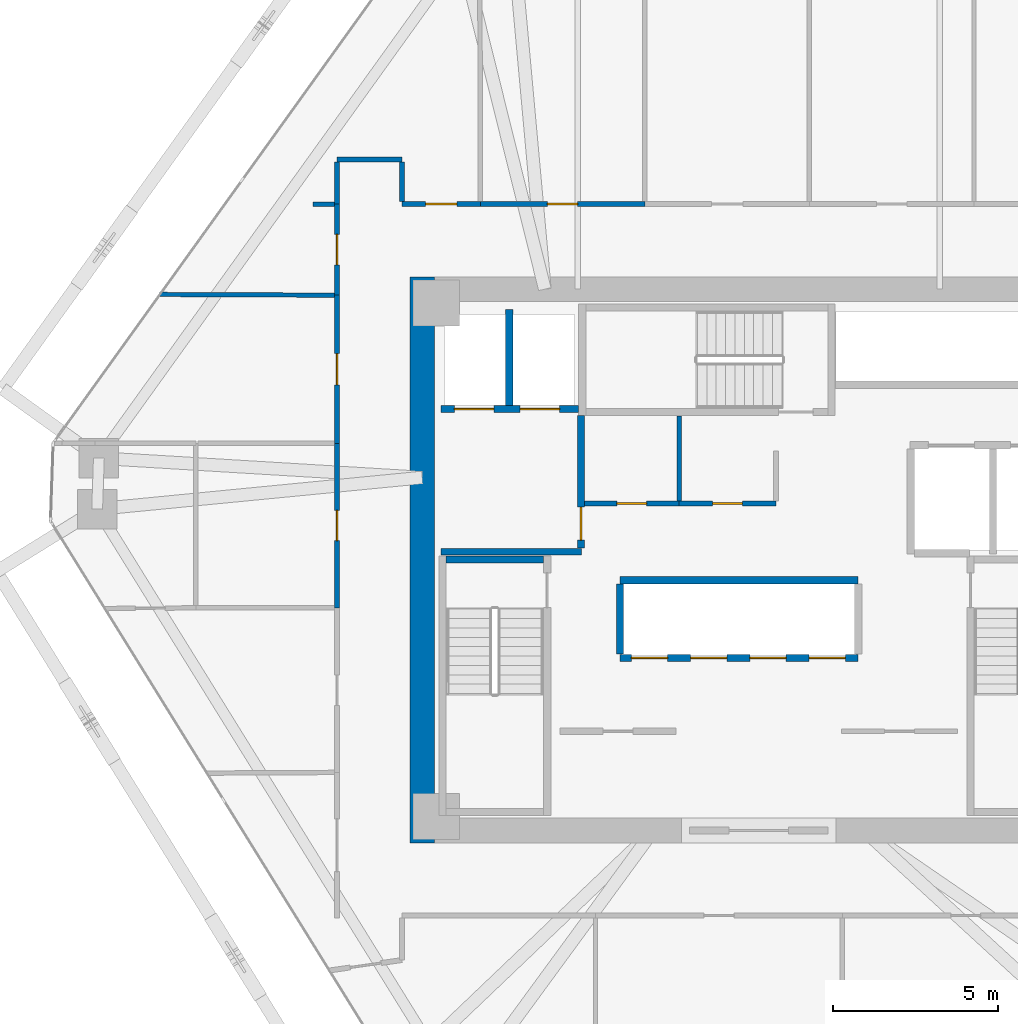
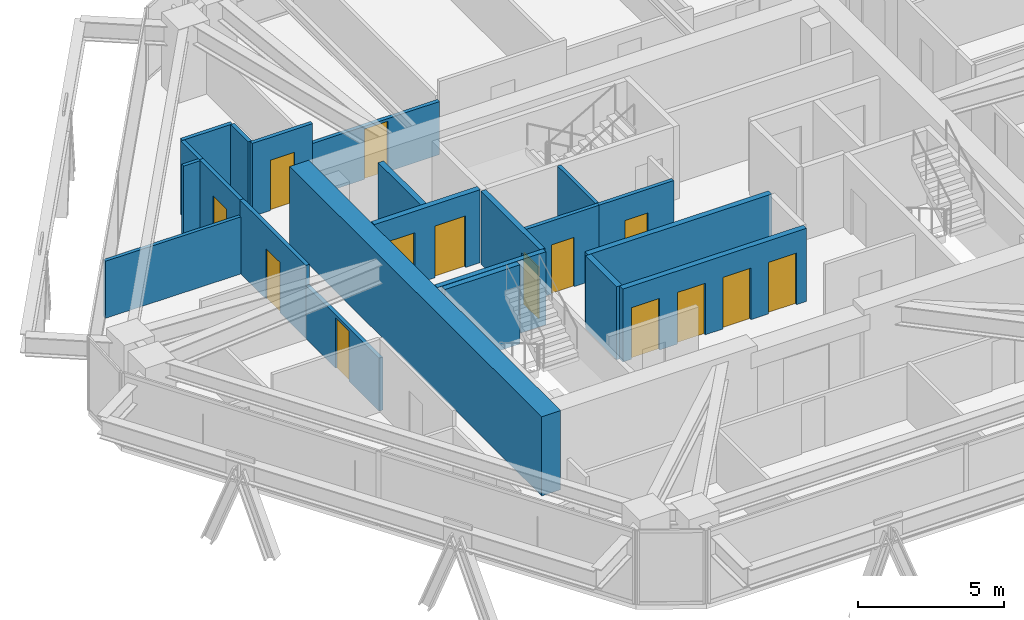
# One storey, part 13 of 16: 22 walls, 14 doors, 14 openings.
"""IFC4 building model written with IfcOpenShell, lengths in metres."""

from ifc_helpers import new_model, si_unit, direction, frame, frame_2d, origin, place, context, subcontext, project, spatial, rectangle, extrude, source, transform, mapped, material, layer, layer_set, type_object, type_shapes, element, fill, save


model = new_model("IFC4")

# Units and contexts
model_context = context("Model", 3, precision=1e-05, world=origin(), true_north=direction((0.0, 1.0)))
body_context = subcontext(model_context, "Body", "Model", "MODEL_VIEW")
ifc_project = project(units=[si_unit("LENGTHUNIT", "METRE"), si_unit("AREAUNIT", "SQUARE_METRE"), si_unit("VOLUMEUNIT", "CUBIC_METRE"), si_unit("PLANEANGLEUNIT", "RADIAN"), si_unit("MASSUNIT", "GRAM", prefix="KILO")], contexts=[model_context])

# Site, building, storey
site_placement = place(None, origin())
site = spatial("IfcSite", under=ifc_project, at=site_placement, CompositionType="ELEMENT")
building_placement = place(site_placement, origin())
building = spatial("IfcBuilding", under=site, at=building_placement, Name="Durnholm Broadcast Tower", CompositionType="ELEMENT")
storey_placement = place(building_placement, frame((0.0, 0.0, 130.5)))
storey = spatial("IfcBuildingStorey", under=building, at=storey_placement, Name="L35", CompositionType="ELEMENT", Elevation=130.5)

# Walls
ifc_material_1 = material(Name="Concrete C70/85", Category="concrete")
ifc_layer_1 = layer(ifc_material_1, 0.75)
ifc_layer_set_1 = layer_set([ifc_layer_1], Name="Concrete C70/85")
wall_type_1 = type_object("IfcWallType", Name="WALL-CW-750", PredefinedType="SHEAR", material=ifc_layer_set_1)
wall_1_placement = place(storey_placement, frame((-10.22509765625, -8.60009765625, 0.0), z_axis=(0.0, 0.0, 1.0), x_axis=(0.0, 1.0, 0.0)))
element("IfcWall", 1, at=wall_1_placement, inside=storey, type_object=wall_type_1, Name="L35 central core shear wall CW-WEST", PredefinedType="SHEAR", context=body_context, shape_type="SweptSolid", body=[
    extrude(rectangle(XDim=17.2001953125, YDim=0.75, at=frame_2d((8.60009765625, 0.0))), origin(), (0.0, 0.0, 1.0), 3.300048828125),
])
ifc_material_2 = material(Name="Fire-Rated Gypsum Shaftwall", Category="concrete")
ifc_layer_2 = layer(ifc_material_2, 0.199951171875)
ifc_layer_set_2 = layer_set([ifc_layer_2], Name="Fire-Rated Gypsum Shaftwall")
wall_type_2 = type_object("IfcWallType", Name="WALL-LOB-200", PredefinedType="SOLIDWALL", material=ifc_layer_set_2)
wall_2_placement = place(storey_placement, frame((-9.64990234375, 0.25, 0.0), z_axis=(0.0, 0.0, 1.0), x_axis=(1.0, 0.0, 0.0)))
element("IfcWall", 2, at=wall_2_placement, inside=storey, type_object=wall_type_2, Name="L35 Fire Service Access Elevator lobby south wall", PredefinedType="SOLIDWALL", context=body_context, shape_type="SweptSolid", body=[
    extrude(rectangle(XDim=4.27001953125, YDim=0.199951171875, at=frame_2d((2.135009765625, 0.0))), origin(), (0.0, 0.0, 1.0), 3.044921875),
])

# Wall, opening, door
wall_3_placement = place(storey_placement, frame((-5.39990234375, 0.35400390625, 0.0), z_axis=(0.0, 0.0, 1.0), x_axis=(0.0, 1.0, 0.0)))
wall_3 = element("IfcWall", 3, at=wall_3_placement, inside=storey, type_object=wall_type_2, Name="L35 Fire Service Access Elevator lobby east fire wall", PredefinedType="SOLIDWALL", context=body_context, shape_type="SweptSolid", body=[
    extrude(rectangle(XDim=4.02587890625, YDim=0.199951171875, at=frame_2d((2.012939453125, 0.0))), origin(), (0.0, 0.0, 1.0), 3.044921875),
])
opening_1_placement = place(wall_3_placement, frame((0.24609375, 0.0, 0.0)))
opening_1 = element("IfcOpeningElement", 4, at=opening_1_placement, cuts=wall_3, Name="Opening DL-60R", PredefinedType="OPENING", context=body_context, shape_type="SweptSolid", body=[
    extrude(rectangle(XDim=1.0, YDim=2.14990234375, at=frame_2d((0.5, 1.074951171875))), frame((0.0, 0.10986328125, 0.0), z_axis=(0.0, -1.0, 0.0), x_axis=(1.0, 0.0, 0.0)), (0.0, 0.0, 1.0), 0.219970703125),
])
ifc_material_3 = material(Name="Fire-Rated Timber/Steel Door", Category="steel")
ifc_layer_3 = layer(ifc_material_3, 0.050048828125)
ifc_layer_set_3 = layer_set([ifc_layer_3], Name="Fire-Rated Timber/Steel Door")
door_type_1 = type_object("IfcDoorType", Name="DOOR-LOB-FD60-R", OperationType="NOTDEFINED", PredefinedType="DOOR", material=ifc_layer_set_3)
shared_shape_1 = source(origin(), body_context, "Body", "SweptSolid", [
    extrude(rectangle(XDim=1.0, YDim=2.14990234375, at=frame_2d((0.5, 1.074951171875))), frame((0.0, 0.02490234375, 0.0), z_axis=(0.0, -1.0, 0.0), x_axis=(1.0, 0.0, 0.0)), (0.0, 0.0, 1.0), 0.050048828125),
])
type_shapes(door_type_1, [shared_shape_1])
door_1_placement = place(opening_1_placement, origin())
door_1 = element("IfcDoor", 5, at=door_1_placement, inside=storey, type_object=door_type_1, Name="L35 Fire Service Access Elevator lobby smoke door", OperationType="SINGLE_SWING_RIGHT", OverallHeight=2.14990234375, OverallWidth=1.0, PredefinedType="DOOR", context=body_context, shape_type="MappedRepresentation", body=[
    mapped(shared_shape_1, transform((0.0, 0.0, 0.0), x_axis=(1.0, 0.0, 0.0), y_axis=(0.0, 1.0, 0.0), z_axis=(0.0, 0.0, 1.0), scale=1.0)),
])
fill(opening_1, door_1)

# Walls
ifc_material_4 = material(Name="Gypsum Metal Stud Partition", Category="concrete")
ifc_layer_4 = layer(ifc_material_4, 0.135009765625)
ifc_layer_set_4 = layer_set([ifc_layer_4], Name="Gypsum Metal Stud Partition")
wall_type_3 = type_object("IfcWallType", Name="WALL-PART-135", PredefinedType="PARTITIONING", material=ifc_layer_set_4)
wall_4_placement = place(storey_placement, frame((-2.419921875, 4.375, 0.0), z_axis=(0.0, 0.0, 1.0), x_axis=(0.0, -1.0, 0.0)))
element("IfcWall", 6, at=wall_4_placement, inside=storey, type_object=wall_type_3, Name="L35 room dividing partition 3.4", PredefinedType="PARTITIONING", context=body_context, shape_type="SweptSolid", body=[
    extrude(rectangle(XDim=2.5859375, YDim=0.135009765625, at=frame_2d((1.29296875, 0.0))), origin(), (0.0, 0.0, 1.0), 3.044921875),
])
wall_5_placement = place(storey_placement, frame((-12.888916015625, 10.81005859375, 0.0), z_axis=(0.0, 0.0, 1.0), x_axis=(-1.0, 0.0, 0.0)))
element("IfcWall", 7, at=wall_5_placement, inside=storey, type_object=wall_type_3, Name="L35 room dividing partition 8.23", PredefinedType="PARTITIONING", context=body_context, shape_type="SweptSolid", body=[
    extrude(rectangle(XDim=0.651123046875, YDim=0.135009765625, at=frame_2d((0.32568359375, 0.0))), origin(), (0.0, 0.0, 1.0), 3.044921875),
])
wall_6_placement = place(storey_placement, frame((-18.201904296875, 8.063232421875, 0.0), z_axis=(0.0, 0.0, 1.0), x_axis=(0.999990671281, -0.004319415637, 0.0)))
element("IfcWall", 8, at=wall_6_placement, inside=storey, type_object=wall_type_3, Name="L35 room dividing partition 22.23", PredefinedType="PARTITIONING", context=body_context, shape_type="SweptSolid", body=[
    extrude(rectangle(XDim=5.31298828125, YDim=0.135009765625, at=frame_2d((2.656494140625, 0.0))), origin(), (0.0, 0.0, 1.0), 2.3798828125),
])

# Wall, opening, door
ifc_material_5 = material(Name="Acoustic Gypsum Stud Partition", Category="concrete")
ifc_layer_5 = layer(ifc_material_5, 0.14990234375)
ifc_layer_set_5 = layer_set([ifc_layer_5], Name="Acoustic Gypsum Stud Partition")
wall_type_4 = type_object("IfcWallType", Name="WALL-PART-150", PredefinedType="PARTITIONING", material=ifc_layer_set_5)
wall_7_placement = place(storey_placement, frame((-2.419921875, 1.7099609375, 0.0), z_axis=(0.0, 0.0, 1.0), x_axis=(-1.0, 0.0, 0.0)))
wall_7 = element("IfcWall", 9, at=wall_7_placement, inside=storey, type_object=wall_type_4, Name="L35 Core Equipment Store corridor partition", PredefinedType="PARTITIONING", context=body_context, shape_type="SweptSolid", body=[
    extrude(rectangle(XDim=2.8759765625, YDim=0.14990234375, at=frame_2d((1.43798828125, 0.0))), origin(), (0.0, 0.0, 1.0), 3.044921875),
])
opening_2_placement = place(wall_7_placement, frame((0.988037109375, 0.0, 0.0)))
opening_2 = element("IfcOpeningElement", 10, at=opening_2_placement, cuts=wall_7, Name="Opening DC-60R", PredefinedType="OPENING", context=body_context, shape_type="SweptSolid", body=[
    extrude(rectangle(XDim=0.89990234375, YDim=2.050048828125, at=frame_2d((0.449951171875, 1.02490234375))), frame((0.0, 0.0849609375, 0.0), z_axis=(0.0, -1.0, 0.0), x_axis=(1.0, 0.0, 0.0)), (0.0, 0.0, 1.0), 0.169921875),
])
ifc_material_6 = material(Name="Fire-Rated Core Service Door", Category="steel")
ifc_layer_6 = layer(ifc_material_6, 0.050048828125)
ifc_layer_set_6 = layer_set([ifc_layer_6], Name="Fire-Rated Core Service Door")
door_type_2 = type_object("IfcDoorType", Name="DOOR-CORE-FD60-R", OperationType="NOTDEFINED", PredefinedType="DOOR", material=ifc_layer_set_6)
shared_shape_2 = source(origin(), body_context, "Body", "SweptSolid", [
    extrude(rectangle(XDim=0.89990234375, YDim=2.050048828125, at=frame_2d((0.449951171875, 1.02490234375))), frame((0.0, 0.02490234375, 0.0), z_axis=(0.0, -1.0, 0.0), x_axis=(1.0, 0.0, 0.0)), (0.0, 0.0, 1.0), 0.050048828125),
])
type_shapes(door_type_2, [shared_shape_2])
door_2_placement = place(opening_2_placement, origin())
door_2 = element("IfcDoor", 11, at=door_2_placement, inside=storey, type_object=door_type_2, Name="L35 Core Equipment Store entrance door", OperationType="SINGLE_SWING_RIGHT", OverallHeight=2.050048828125, OverallWidth=0.89990234375, PredefinedType="DOOR", context=body_context, shape_type="MappedRepresentation", body=[
    mapped(shared_shape_2, transform((0.0, 0.0, 0.0), x_axis=(1.0, 0.0, 0.0), y_axis=(0.0, 1.0, 0.0), z_axis=(0.0, 0.0, 1.0), scale=1.0)),
])
fill(opening_2, door_2)

wall_8_placement = place(storey_placement, frame((0.52001953125, 1.7099609375, 0.0), z_axis=(0.0, 0.0, 1.0), x_axis=(-1.0, 0.0, 0.0)))
wall_8 = element("IfcWall", 12, at=wall_8_placement, inside=storey, type_object=wall_type_4, Name="L35 Core Mail and Supply Room corridor partition", PredefinedType="PARTITIONING", context=body_context, shape_type="SweptSolid", body=[
    extrude(rectangle(XDim=2.93994140625, YDim=0.14990234375, at=frame_2d((1.469970703125, 0.0))), origin(), (0.0, 0.0, 1.0), 3.044921875),
])
opening_3_placement = place(wall_8_placement, frame((1.02001953125, 0.0, 0.0)))
opening_3 = element("IfcOpeningElement", 13, at=opening_3_placement, cuts=wall_8, Name="Opening DC-60L", PredefinedType="OPENING", context=body_context, shape_type="SweptSolid", body=[
    extrude(rectangle(XDim=0.89990234375, YDim=2.050048828125, at=frame_2d((0.449951171875, 1.02490234375))), frame((0.0, 0.0849609375, 0.0), z_axis=(0.0, -1.0, 0.0), x_axis=(1.0, 0.0, 0.0)), (0.0, 0.0, 1.0), 0.169921875),
])
ifc_layer_7 = layer(ifc_material_6, 0.050048828125)
ifc_layer_set_7 = layer_set([ifc_layer_7], Name="Fire-Rated Core Service Door")
door_type_3 = type_object("IfcDoorType", Name="DOOR-CORE-FD60-L", OperationType="NOTDEFINED", PredefinedType="DOOR", material=ifc_layer_set_7)
shared_shape_3 = source(origin(), body_context, "Body", "SweptSolid", [
    extrude(rectangle(XDim=0.89990234375, YDim=2.050048828125, at=frame_2d((0.449951171875, 1.02490234375))), frame((0.0, 0.02490234375, 0.0), z_axis=(0.0, -1.0, 0.0), x_axis=(1.0, 0.0, 0.0)), (0.0, 0.0, 1.0), 0.050048828125),
])
type_shapes(door_type_3, [shared_shape_3])
door_3_placement = place(opening_3_placement, origin())
door_3 = element("IfcDoor", 14, at=door_3_placement, inside=storey, type_object=door_type_3, Name="L35 Core Mail and Supply Room entrance door", OperationType="SINGLE_SWING_LEFT", OverallHeight=2.050048828125, OverallWidth=0.89990234375, PredefinedType="DOOR", context=body_context, shape_type="MappedRepresentation", body=[
    mapped(shared_shape_3, transform((0.0, 0.0, 0.0), x_axis=(1.0, 0.0, 0.0), y_axis=(0.0, 1.0, 0.0), z_axis=(0.0, 0.0, 1.0), scale=1.0)),
])
fill(opening_3, door_3)

wall_9_placement = place(storey_placement, frame((-8.4599609375, 10.81005859375, 0.0), z_axis=(0.0, 0.0, 1.0), x_axis=(-1.0, 0.0, 0.0)))
wall_9 = element("IfcWall", 15, at=wall_9_placement, inside=storey, type_object=wall_type_4, Name="L35 Radio Broadcast Hall corridor partition", PredefinedType="PARTITIONING", context=body_context, shape_type="SweptSolid", body=[
    extrude(rectangle(XDim=2.380126953125, YDim=0.14990234375, at=frame_2d((1.18994140625, 0.0))), origin(), (0.0, 0.0, 1.0), 3.044921875),
])
opening_4_placement = place(wall_9_placement, frame((0.715087890625, 0.0, 0.0)))
opening_4 = element("IfcOpeningElement", 16, at=opening_4_placement, cuts=wall_9, Name="Opening DR-95L", PredefinedType="OPENING", context=body_context, shape_type="SweptSolid", body=[
    extrude(rectangle(XDim=0.949951171875, YDim=2.10009765625, at=frame_2d((0.47509765625, 1.050048828125))), frame((0.0, 0.0849609375, 0.0), z_axis=(0.0, -1.0, 0.0), x_axis=(1.0, 0.0, 0.0)), (0.0, 0.0, 1.0), 0.169921875),
])
ifc_material_7 = material(Name="Acoustic Oak Veneer Timber Door", Category="wood")
ifc_layer_8 = layer(ifc_material_7, 0.050048828125)
ifc_layer_set_8 = layer_set([ifc_layer_8], Name="Acoustic Oak Veneer Timber Door")
door_type_4 = type_object("IfcDoorType", Name="DOOR-RM-950L", OperationType="NOTDEFINED", PredefinedType="DOOR", material=ifc_layer_set_8)
shared_shape_4 = source(origin(), body_context, "Body", "SweptSolid", [
    extrude(rectangle(XDim=0.949951171875, YDim=2.10009765625, at=frame_2d((0.47509765625, 1.050048828125))), frame((0.0, 0.02490234375, 0.0), z_axis=(0.0, -1.0, 0.0), x_axis=(1.0, 0.0, 0.0)), (0.0, 0.0, 1.0), 0.050048828125),
])
type_shapes(door_type_4, [shared_shape_4])
door_4_placement = place(opening_4_placement, origin())
door_4 = element("IfcDoor", 17, at=door_4_placement, inside=storey, type_object=door_type_4, Name="L35 Radio Broadcast Hall entrance door", OperationType="SINGLE_SWING_LEFT", OverallHeight=2.10009765625, OverallWidth=0.949951171875, PredefinedType="DOOR", context=body_context, shape_type="MappedRepresentation", body=[
    mapped(shared_shape_4, transform((0.0, 0.0, 0.0), x_axis=(1.0, 0.0, 0.0), y_axis=(0.0, 1.0, 0.0), z_axis=(0.0, 0.0, 1.0), scale=1.0)),
])
fill(opening_4, door_4)

# Walls
wall_10_placement = place(storey_placement, frame((-10.840087890625, 12.159912109375, 0.0), z_axis=(0.0, 0.0, 1.0), x_axis=(-1.0, 0.0, 0.0)))
element("IfcWall", 18, at=wall_10_placement, inside=storey, type_object=wall_type_4, Name="L35 Radio Broadcast Hall corridor partition", PredefinedType="PARTITIONING", context=body_context, shape_type="SweptSolid", body=[
    extrude(rectangle(XDim=1.969970703125, YDim=0.14990234375, at=frame_2d((0.98486328125, 0.0))), origin(), (0.0, 0.0, 1.0), 3.044921875),
])
wall_11_placement = place(storey_placement, frame((-10.840087890625, 10.888916015625, 0.0), z_axis=(0.0, 0.0, 1.0), x_axis=(0.0, 1.0, 0.0)))
element("IfcWall", 19, at=wall_11_placement, inside=storey, type_object=wall_type_4, Name="L35 Radio Broadcast Hall corridor partition", PredefinedType="PARTITIONING", context=body_context, shape_type="SweptSolid", body=[
    extrude(rectangle(XDim=1.192138671875, YDim=0.14990234375, at=frame_2d((0.59619140625, 0.0))), origin(), (0.0, 0.0, 1.0), 3.044921875),
])
wall_12_placement = place(storey_placement, frame((-12.81005859375, 12.0810546875, 0.0), z_axis=(0.0, 0.0, 1.0), x_axis=(0.0, -1.0, 0.0)))
element("IfcWall", 20, at=wall_12_placement, inside=storey, type_object=wall_type_4, Name="L35 Radio Broadcast Hall corridor partition", PredefinedType="PARTITIONING", context=body_context, shape_type="SweptSolid", body=[
    extrude(rectangle(XDim=1.27099609375, YDim=0.14990234375, at=frame_2d((0.635498046875, 0.0))), origin(), (0.0, 0.0, 1.0), 3.044921875),
])

# Wall, opening, door
wall_13_placement = place(storey_placement, frame((-3.4599609375, 10.81005859375, 0.0), z_axis=(0.0, 0.0, 1.0), x_axis=(-1.0, 0.0, 0.0)))
wall_13 = element("IfcWall", 21, at=wall_13_placement, inside=storey, type_object=wall_type_4, Name="L35 Mastering Screening Auditorium corridor partition", PredefinedType="PARTITIONING", context=body_context, shape_type="SweptSolid", body=[
    extrude(rectangle(XDim=5.0, YDim=0.14990234375, at=frame_2d((2.5, 0.0))), origin(), (0.0, 0.0, 1.0), 2.212158203125),
])
opening_5_placement = place(wall_13_placement, frame((2.0400390625, 0.0, 0.0)))
opening_5 = element("IfcOpeningElement", 22, at=opening_5_placement, cuts=wall_13, Name="Opening DR-92R", PredefinedType="OPENING", context=body_context, shape_type="SweptSolid", body=[
    extrude(rectangle(XDim=0.919921875, YDim=2.10009765625, at=frame_2d((0.4599609375, 1.050048828125))), frame((0.0, 0.0849609375, 0.0), z_axis=(0.0, -1.0, 0.0), x_axis=(1.0, 0.0, 0.0)), (0.0, 0.0, 1.0), 0.169921875),
])
ifc_material_8 = material(Name="Oak Veneer Office Door", Category="wood")
ifc_layer_9 = layer(ifc_material_8, 0.050048828125)
ifc_layer_set_9 = layer_set([ifc_layer_9], Name="Oak Veneer Office Door")
door_type_5 = type_object("IfcDoorType", Name="DOOR-RM-920R", OperationType="NOTDEFINED", PredefinedType="DOOR", material=ifc_layer_set_9)
shared_shape_5 = source(origin(), body_context, "Body", "SweptSolid", [
    extrude(rectangle(XDim=0.919921875, YDim=2.10009765625, at=frame_2d((0.4599609375, 1.050048828125))), frame((0.0, 0.02490234375, 0.0), z_axis=(0.0, -1.0, 0.0), x_axis=(1.0, 0.0, 0.0)), (0.0, 0.0, 1.0), 0.050048828125),
])
type_shapes(door_type_5, [shared_shape_5])
door_5_placement = place(opening_5_placement, origin())
door_5 = element("IfcDoor", 23, at=door_5_placement, inside=storey, type_object=door_type_5, Name="L35 Mastering Screening Auditorium entrance door", OperationType="SINGLE_SWING_RIGHT", OverallHeight=2.10009765625, OverallWidth=0.919921875, PredefinedType="DOOR", context=body_context, shape_type="MappedRepresentation", body=[
    mapped(shared_shape_5, transform((0.0, 0.0, 0.0), x_axis=(1.0, 0.0, 0.0), y_axis=(0.0, 1.0, 0.0), z_axis=(0.0, 0.0, 1.0), scale=1.0)),
])
fill(opening_5, door_5)

wall_14_placement = place(storey_placement, frame((-12.81005859375, 3.5400390625, 0.0), z_axis=(0.0, 0.0, 1.0), x_axis=(0.0, -1.0, 0.0)))
wall_14 = element("IfcWall", 24, at=wall_14_placement, inside=storey, type_object=wall_type_4, Name="L35 Acoustic Meeting Room 1 corridor partition", PredefinedType="PARTITIONING", context=body_context, shape_type="SweptSolid", body=[
    extrude(rectangle(XDim=5.0, YDim=0.14990234375, at=frame_2d((2.5, 0.0))), origin(), (0.0, 0.0, 1.0), 2.212158203125),
])
opening_6_placement = place(wall_14_placement, frame((2.0400390625, 0.0, 0.0)))
opening_6 = element("IfcOpeningElement", 25, at=opening_6_placement, cuts=wall_14, Name="Opening DR-92L", PredefinedType="OPENING", context=body_context, shape_type="SweptSolid", body=[
    extrude(rectangle(XDim=0.919921875, YDim=2.10009765625, at=frame_2d((0.4599609375, 1.050048828125))), frame((0.0, 0.0849609375, 0.0), z_axis=(0.0, -1.0, 0.0), x_axis=(1.0, 0.0, 0.0)), (0.0, 0.0, 1.0), 0.169921875),
])
ifc_layer_10 = layer(ifc_material_8, 0.050048828125)
ifc_layer_set_10 = layer_set([ifc_layer_10], Name="Oak Veneer Office Door")
door_type_6 = type_object("IfcDoorType", Name="DOOR-RM-920L", OperationType="NOTDEFINED", PredefinedType="DOOR", material=ifc_layer_set_10)
shared_shape_6 = source(origin(), body_context, "Body", "SweptSolid", [
    extrude(rectangle(XDim=0.919921875, YDim=2.10009765625, at=frame_2d((0.4599609375, 1.050048828125))), frame((0.0, 0.02490234375, 0.0), z_axis=(0.0, -1.0, 0.0), x_axis=(1.0, 0.0, 0.0)), (0.0, 0.0, 1.0), 0.050048828125),
])
type_shapes(door_type_6, [shared_shape_6])
door_6_placement = place(opening_6_placement, origin())
door_6 = element("IfcDoor", 26, at=door_6_placement, inside=storey, type_object=door_type_6, Name="L35 Acoustic Meeting Room 1 entrance door", OperationType="SINGLE_SWING_LEFT", OverallHeight=2.10009765625, OverallWidth=0.919921875, PredefinedType="DOOR", context=body_context, shape_type="MappedRepresentation", body=[
    mapped(shared_shape_6, transform((0.0, 0.0, 0.0), x_axis=(1.0, 0.0, 0.0), y_axis=(0.0, 1.0, 0.0), z_axis=(0.0, 0.0, 1.0), scale=1.0)),
])
fill(opening_6, door_6)

wall_15_placement = place(storey_placement, frame((-12.81005859375, 8.0400390625, 0.0), z_axis=(0.0, 0.0, 1.0), x_axis=(0.0, -1.0, 0.0)))
wall_15 = element("IfcWall", 27, at=wall_15_placement, inside=storey, type_object=wall_type_4, Name="L35 Acoustic Meeting Room 2 corridor partition", PredefinedType="PARTITIONING", context=body_context, shape_type="SweptSolid", body=[
    extrude(rectangle(XDim=4.5, YDim=0.14990234375, at=frame_2d((2.25, 0.0))), origin(), (0.0, 0.0, 1.0), 3.044921875),
])
opening_7_placement = place(wall_15_placement, frame((1.77490234375, 0.0, 0.0)))
opening_7 = element("IfcOpeningElement", 28, at=opening_7_placement, cuts=wall_15, Name="Opening DR-95R", PredefinedType="OPENING", context=body_context, shape_type="SweptSolid", body=[
    extrude(rectangle(XDim=0.949951171875, YDim=2.10009765625, at=frame_2d((0.47509765625, 1.050048828125))), frame((0.0, 0.0849609375, 0.0), z_axis=(0.0, -1.0, 0.0), x_axis=(1.0, 0.0, 0.0)), (0.0, 0.0, 1.0), 0.169921875),
])
ifc_layer_11 = layer(ifc_material_7, 0.050048828125)
ifc_layer_set_11 = layer_set([ifc_layer_11], Name="Acoustic Oak Veneer Timber Door")
door_type_7 = type_object("IfcDoorType", Name="DOOR-RM-950R", OperationType="NOTDEFINED", PredefinedType="DOOR", material=ifc_layer_set_11)
shared_shape_7 = source(origin(), body_context, "Body", "SweptSolid", [
    extrude(rectangle(XDim=0.949951171875, YDim=2.10009765625, at=frame_2d((0.47509765625, 1.050048828125))), frame((0.0, 0.02490234375, 0.0), z_axis=(0.0, -1.0, 0.0), x_axis=(1.0, 0.0, 0.0)), (0.0, 0.0, 1.0), 0.050048828125),
])
type_shapes(door_type_7, [shared_shape_7])
door_7_placement = place(opening_7_placement, origin())
door_7 = element("IfcDoor", 29, at=door_7_placement, inside=storey, type_object=door_type_7, Name="L35 Acoustic Meeting Room 2 entrance door", OperationType="SINGLE_SWING_RIGHT", OverallHeight=2.10009765625, OverallWidth=0.949951171875, PredefinedType="DOOR", context=body_context, shape_type="MappedRepresentation", body=[
    mapped(shared_shape_7, transform((0.0, 0.0, 0.0), x_axis=(1.0, 0.0, 0.0), y_axis=(0.0, 1.0, 0.0), z_axis=(0.0, 0.0, 1.0), scale=1.0)),
])
fill(opening_7, door_7)

wall_16_placement = place(storey_placement, frame((-12.81005859375, 10.81005859375, 0.0), z_axis=(0.0, 0.0, 1.0), x_axis=(0.0, -1.0, 0.0)))
wall_16 = element("IfcWall", 30, at=wall_16_placement, inside=storey, type_object=wall_type_4, Name="L35 Broadcast Kitchen corridor partition", PredefinedType="PARTITIONING", context=body_context, shape_type="SweptSolid", body=[
    extrude(rectangle(XDim=2.77001953125, YDim=0.14990234375, at=frame_2d((1.385009765625, 0.0))), origin(), (0.0, 0.0, 1.0), 3.044921875),
])
opening_8_placement = place(wall_16_placement, frame((0.925048828125, 0.0, 0.0)))
opening_8 = element("IfcOpeningElement", 31, at=opening_8_placement, cuts=wall_16, Name="Opening DR-92L", PredefinedType="OPENING", context=body_context, shape_type="SweptSolid", body=[
    extrude(rectangle(XDim=0.919921875, YDim=2.10009765625, at=frame_2d((0.4599609375, 1.050048828125))), frame((0.0, 0.0849609375, 0.0), z_axis=(0.0, -1.0, 0.0), x_axis=(1.0, 0.0, 0.0)), (0.0, 0.0, 1.0), 0.169921875),
])
door_8_placement = place(opening_8_placement, origin())
door_8 = element("IfcDoor", 32, at=door_8_placement, inside=storey, type_object=door_type_6, Name="L35 Broadcast Kitchen entrance door", OperationType="SINGLE_SWING_LEFT", OverallHeight=2.10009765625, OverallWidth=0.919921875, PredefinedType="DOOR", context=body_context, shape_type="MappedRepresentation", body=[
    mapped(shared_shape_6, transform((0.0, 0.0, 0.0), x_axis=(1.0, 0.0, 0.0), y_axis=(0.0, 1.0, 0.0), z_axis=(0.0, 0.0, 1.0), scale=1.0)),
])
fill(opening_8, door_8)

# Wall, openings, doors
ifc_material_9 = material(Name="Concrete Blockwork C30/37", Category="masonry")
ifc_layer_12 = layer(ifc_material_9, 0.219970703125)
ifc_layer_set_12 = layer_set([ifc_layer_12], Name="Concrete Blockwork C30/37")
wall_type_5 = type_object("IfcWallType", Name="WALL-SHAFT-220", PredefinedType="SOLIDWALL", material=ifc_layer_set_12)
wall_17_placement = place(storey_placement, frame((-9.64990234375, 4.580078125, 0.0), z_axis=(0.0, 0.0, 1.0), x_axis=(1.0, 0.0, 0.0)))
wall_17 = element("IfcWall", 33, at=wall_17_placement, inside=storey, type_object=wall_type_5, Name="L35 FSAE hoistway front fire wall", PredefinedType="SOLIDWALL", context=body_context, shape_type="SweptSolid", body=[
    extrude(rectangle(XDim=4.1748046875, YDim=0.219970703125, at=frame_2d((2.08740234375, 0.0))), origin(), (0.0, 0.0, 1.0), 3.044921875),
])
opening_9_placement = place(wall_17_placement, frame((0.39990234375, 0.0, 0.0)))
opening_9 = element("IfcOpeningElement", 34, at=opening_9_placement, cuts=wall_17, Name="Opening LD-FSAE-2", PredefinedType="OPENING", context=body_context, shape_type="SweptSolid", body=[
    extrude(rectangle(XDim=1.199951171875, YDim=2.14990234375, at=frame_2d((0.60009765625, 1.074951171875))), frame((0.0, 0.1201171875, 0.0), z_axis=(0.0, -1.0, 0.0), x_axis=(1.0, 0.0, 0.0)), (0.0, 0.0, 1.0), 0.239990234375),
])
opening_10_placement = place(wall_17_placement, frame((2.39990234375, 0.0, 0.0)))
opening_10 = element("IfcOpeningElement", 35, at=opening_10_placement, cuts=wall_17, Name="Opening LD-FSAE-1", PredefinedType="OPENING", context=body_context, shape_type="SweptSolid", body=[
    extrude(rectangle(XDim=1.199951171875, YDim=2.14990234375, at=frame_2d((0.60009765625, 1.074951171875))), frame((0.0, 0.1201171875, 0.0), z_axis=(0.0, -1.0, 0.0), x_axis=(1.0, 0.0, 0.0)), (0.0, 0.0, 1.0), 0.239990234375),
])
ifc_material_10 = material(Name="Fire Service Access Sliding Landing Door", Category="steel")
ifc_layer_13 = layer(ifc_material_10, 0.050048828125)
ifc_layer_set_13 = layer_set([ifc_layer_13], Name="Fire Service Access Sliding Landing Door")
door_type_8 = type_object("IfcDoorType", Name="DOOR-LIFT-FSAE", OperationType="DOUBLE_DOOR_SLIDING", PredefinedType="DOOR", material=ifc_layer_set_13)
shared_shape_8 = source(origin(), body_context, "Body", "SweptSolid", [
    extrude(rectangle(XDim=1.199951171875, YDim=2.14990234375, at=frame_2d((0.60009765625, 1.074951171875))), frame((0.0, 0.02490234375, 0.0), z_axis=(0.0, -1.0, 0.0), x_axis=(1.0, 0.0, 0.0)), (0.0, 0.0, 1.0), 0.050048828125),
])
type_shapes(door_type_8, [shared_shape_8])
door_9_placement = place(opening_9_placement, origin())
door_9 = element("IfcDoor", 36, at=door_9_placement, inside=storey, type_object=door_type_8, Name="L35 Fire Service Access Elevator FSAE-2 sliding landing door", OperationType="DOUBLE_DOOR_SLIDING", OverallHeight=2.14990234375, OverallWidth=1.199951171875, PredefinedType="DOOR", context=body_context, shape_type="MappedRepresentation", body=[
    mapped(shared_shape_8, transform((0.0, 0.0, 0.0), x_axis=(1.0, 0.0, 0.0), y_axis=(0.0, 1.0, 0.0), z_axis=(0.0, 0.0, 1.0), scale=1.0)),
])
fill(opening_9, door_9)
door_10_placement = place(opening_10_placement, origin())
door_10 = element("IfcDoor", 37, at=door_10_placement, inside=storey, type_object=door_type_8, Name="L35 Fire Service Access Elevator FSAE-1 sliding landing door", OperationType="DOUBLE_DOOR_SLIDING", OverallHeight=2.14990234375, OverallWidth=1.199951171875, PredefinedType="DOOR", context=body_context, shape_type="MappedRepresentation", body=[
    mapped(shared_shape_8, transform((0.0, 0.0, 0.0), x_axis=(1.0, 0.0, 0.0), y_axis=(0.0, 1.0, 0.0), z_axis=(0.0, 0.0, 1.0), scale=1.0)),
])
fill(opening_10, door_10)

# Wall
wall_18_placement = place(storey_placement, frame((-7.580078125, 4.694091796875, 0.0), z_axis=(0.0, 0.0, 1.0), x_axis=(0.0, 1.0, 0.0)))
element("IfcWall", 38, at=wall_18_placement, inside=storey, type_object=wall_type_5, Name="L35 FSAE shaft divider wall", PredefinedType="SOLIDWALL", context=body_context, shape_type="SweptSolid", body=[
    extrude(rectangle(XDim=2.906005859375, YDim=0.219970703125, at=frame_2d((1.453125, 0.0))), origin(), (0.0, 0.0, 1.0), 3.044921875),
])

# Wall, openings, doors
wall_19_placement = place(storey_placement, frame((-4.219970703125, -2.97998046875, 0.0), z_axis=(0.0, 0.0, 1.0), x_axis=(1.0, 0.0, 0.0)))
wall_19 = element("IfcWall", 39, at=wall_19_placement, inside=storey, type_object=wall_type_5, Name="L35 mid-rise bank P2 south front wall", PredefinedType="SOLIDWALL", context=body_context, shape_type="SweptSolid", body=[
    extrude(rectangle(XDim=7.239990234375, YDim=0.219970703125, at=frame_2d((3.6201171875, 0.0))), origin(), (0.0, 0.0, 1.0), 3.044921875),
])
opening_11_placement = place(wall_19_placement, frame((0.35009765625, 0.0, 0.0)))
opening_11 = element("IfcOpeningElement", 40, at=opening_11_placement, cuts=wall_19, Name="Opening LD-LP2-1", PredefinedType="OPENING", context=body_context, shape_type="SweptSolid", body=[
    extrude(rectangle(XDim=1.10009765625, YDim=2.14990234375, at=frame_2d((0.550048828125, 1.074951171875))), frame((0.0, 0.1201171875, 0.0), z_axis=(0.0, -1.0, 0.0), x_axis=(1.0, 0.0, 0.0)), (0.0, 0.0, 1.0), 0.239990234375),
])
opening_12_placement = place(wall_19_placement, frame((2.14990234375, 0.0, 0.0)))
opening_12 = element("IfcOpeningElement", 41, at=opening_12_placement, cuts=wall_19, Name="Opening LD-LP2-2", PredefinedType="OPENING", context=body_context, shape_type="SweptSolid", body=[
    extrude(rectangle(XDim=1.10009765625, YDim=2.14990234375, at=frame_2d((0.550048828125, 1.074951171875))), frame((0.0, 0.1201171875, 0.0), z_axis=(0.0, -1.0, 0.0), x_axis=(1.0, 0.0, 0.0)), (0.0, 0.0, 1.0), 0.239990234375),
])
opening_13_placement = place(wall_19_placement, frame((3.949951171875, 0.0, 0.0)))
opening_13 = element("IfcOpeningElement", 42, at=opening_13_placement, cuts=wall_19, Name="Opening LD-LP2-3", PredefinedType="OPENING", context=body_context, shape_type="SweptSolid", body=[
    extrude(rectangle(XDim=1.10009765625, YDim=2.14990234375, at=frame_2d((0.550048828125, 1.074951171875))), frame((0.0, 0.1201171875, 0.0), z_axis=(0.0, -1.0, 0.0), x_axis=(1.0, 0.0, 0.0)), (0.0, 0.0, 1.0), 0.239990234375),
])
opening_14_placement = place(wall_19_placement, frame((5.75, 0.0, 0.0)))
opening_14 = element("IfcOpeningElement", 43, at=opening_14_placement, cuts=wall_19, Name="Opening LD-LP2-4", PredefinedType="OPENING", context=body_context, shape_type="SweptSolid", body=[
    extrude(rectangle(XDim=1.10009765625, YDim=2.14990234375, at=frame_2d((0.550048828125, 1.074951171875))), frame((0.0, 0.1201171875, 0.0), z_axis=(0.0, -1.0, 0.0), x_axis=(1.0, 0.0, 0.0)), (0.0, 0.0, 1.0), 0.239990234375),
])
ifc_material_11 = material(Name="Stainless Steel Sliding Elevator Landing Door", Category="steel")
ifc_layer_14 = layer(ifc_material_11, 0.050048828125)
ifc_layer_set_14 = layer_set([ifc_layer_14], Name="Stainless Steel Sliding Elevator Landing Door")
door_type_9 = type_object("IfcDoorType", Name="DOOR-LIFT-PAX", OperationType="DOUBLE_DOOR_SLIDING", PredefinedType="DOOR", material=ifc_layer_set_14)
shared_shape_9 = source(origin(), body_context, "Body", "SweptSolid", [
    extrude(rectangle(XDim=1.10009765625, YDim=2.14990234375, at=frame_2d((0.550048828125, 1.074951171875))), frame((0.0, 0.02490234375, 0.0), z_axis=(0.0, -1.0, 0.0), x_axis=(1.0, 0.0, 0.0)), (0.0, 0.0, 1.0), 0.050048828125),
])
type_shapes(door_type_9, [shared_shape_9])
door_11_placement = place(opening_11_placement, origin())
door_11 = element("IfcDoor", 44, at=door_11_placement, inside=storey, type_object=door_type_9, Name="L35 passenger elevator LP2-1 sliding landing door", OperationType="DOUBLE_DOOR_SLIDING", OverallHeight=2.14990234375, OverallWidth=1.10009765625, PredefinedType="DOOR", context=body_context, shape_type="MappedRepresentation", body=[
    mapped(shared_shape_9, transform((0.0, 0.0, 0.0), x_axis=(1.0, 0.0, 0.0), y_axis=(0.0, 1.0, 0.0), z_axis=(0.0, 0.0, 1.0), scale=1.0)),
])
fill(opening_11, door_11)
door_12_placement = place(opening_12_placement, origin())
door_12 = element("IfcDoor", 45, at=door_12_placement, inside=storey, type_object=door_type_9, Name="L35 passenger elevator LP2-2 sliding landing door", OperationType="DOUBLE_DOOR_SLIDING", OverallHeight=2.14990234375, OverallWidth=1.10009765625, PredefinedType="DOOR", context=body_context, shape_type="MappedRepresentation", body=[
    mapped(shared_shape_9, transform((0.0, 0.0, 0.0), x_axis=(1.0, 0.0, 0.0), y_axis=(0.0, 1.0, 0.0), z_axis=(0.0, 0.0, 1.0), scale=1.0)),
])
fill(opening_12, door_12)
door_13_placement = place(opening_13_placement, origin())
door_13 = element("IfcDoor", 46, at=door_13_placement, inside=storey, type_object=door_type_9, Name="L35 passenger elevator LP2-3 sliding landing door", OperationType="DOUBLE_DOOR_SLIDING", OverallHeight=2.14990234375, OverallWidth=1.10009765625, PredefinedType="DOOR", context=body_context, shape_type="MappedRepresentation", body=[
    mapped(shared_shape_9, transform((0.0, 0.0, 0.0), x_axis=(1.0, 0.0, 0.0), y_axis=(0.0, 1.0, 0.0), z_axis=(0.0, 0.0, 1.0), scale=1.0)),
])
fill(opening_13, door_13)
door_14_placement = place(opening_14_placement, origin())
door_14 = element("IfcDoor", 47, at=door_14_placement, inside=storey, type_object=door_type_9, Name="L35 passenger elevator LP2-4 sliding landing door", OperationType="DOUBLE_DOOR_SLIDING", OverallHeight=2.14990234375, OverallWidth=1.10009765625, PredefinedType="DOOR", context=body_context, shape_type="MappedRepresentation", body=[
    mapped(shared_shape_9, transform((0.0, 0.0, 0.0), x_axis=(1.0, 0.0, 0.0), y_axis=(0.0, 1.0, 0.0), z_axis=(0.0, 0.0, 1.0), scale=1.0)),
])
fill(opening_14, door_14)

# Walls
wall_20_placement = place(storey_placement, frame((-4.219970703125, -0.6201171875, 0.0), z_axis=(0.0, 0.0, 1.0), x_axis=(1.0, 0.0, 0.0)))
element("IfcWall", 48, at=wall_20_placement, inside=storey, type_object=wall_type_5, Name="L35 mid-rise bank P2 north shaft wall", PredefinedType="SOLIDWALL", context=body_context, shape_type="SweptSolid", body=[
    extrude(rectangle(XDim=7.239990234375, YDim=0.219970703125, at=frame_2d((3.6201171875, 0.0))), origin(), (0.0, 0.0, 1.0), 3.044921875),
])
wall_21_placement = place(storey_placement, frame((-4.219970703125, -2.865966796875, 0.0), z_axis=(0.0, 0.0, 1.0), x_axis=(0.0, 1.0, 0.0)))
element("IfcWall", 49, at=wall_21_placement, inside=storey, type_object=wall_type_5, Name="L35 mid-rise bank P2 west shaft wall", PredefinedType="SOLIDWALL", context=body_context, shape_type="SweptSolid", body=[
    extrude(rectangle(XDim=2.132080078125, YDim=0.219970703125, at=frame_2d((1.06591796875, 0.0))), origin(), (0.0, 0.0, 1.0), 3.044921875),
])
ifc_material_12 = material(Name="Concrete C50/60", Category="concrete")
ifc_layer_15 = layer(ifc_material_12, 0.219970703125)
ifc_layer_set_15 = layer_set([ifc_layer_15], Name="Concrete C50/60")
wall_type_6 = type_object("IfcWallType", Name="WALL-SW-220", PredefinedType="SHEAR", material=ifc_layer_set_15)
wall_22_placement = place(storey_placement, frame((-6.5400390625, 0.010009765625, -0.239990234375), z_axis=(0.0, 0.0, 1.0), x_axis=(-1.0, 0.0, 0.0)))
element("IfcWall", 50, at=wall_22_placement, inside=storey, type_object=wall_type_6, Name="L35 stair ST-1 structural shaft wall N", PredefinedType="SHEAR", context=body_context, shape_type="SweptSolid", body=[
    extrude(rectangle(XDim=2.9599609375, YDim=0.219970703125, at=frame_2d((1.47998046875, 0.0))), origin(), (0.0, 0.0, 1.0), 3.300048828125),
])

save(model, "model.ifc")
